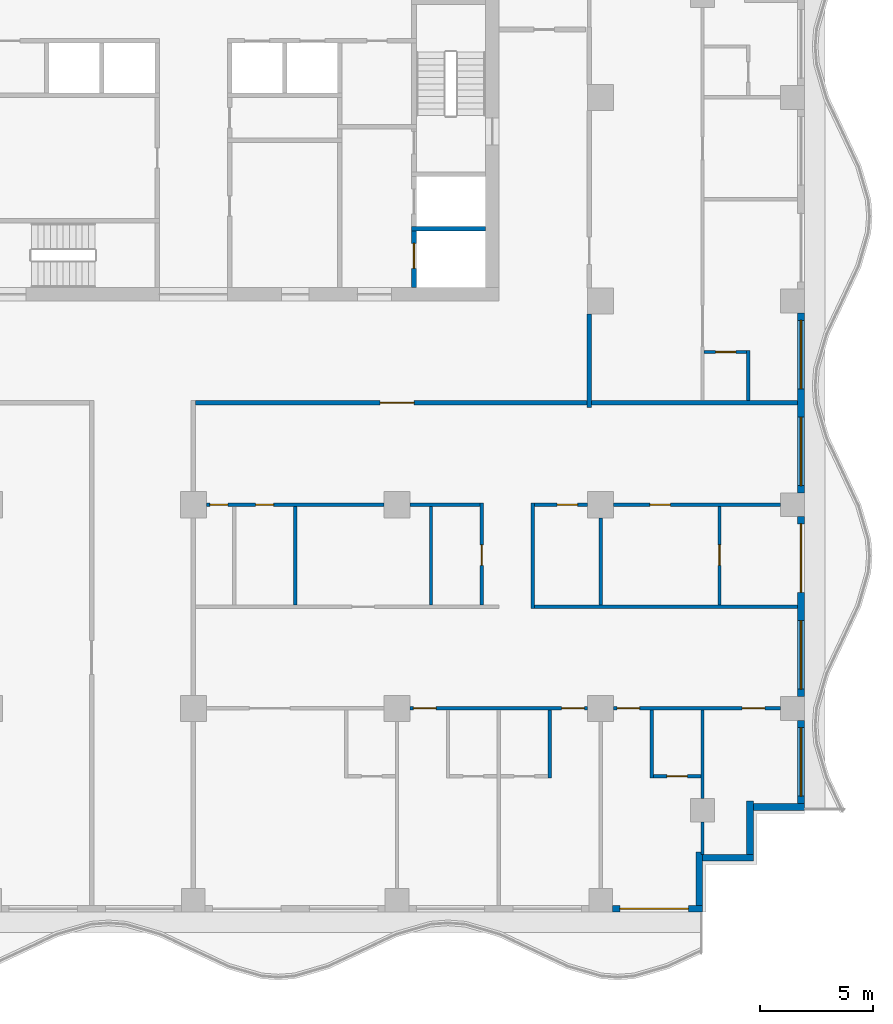
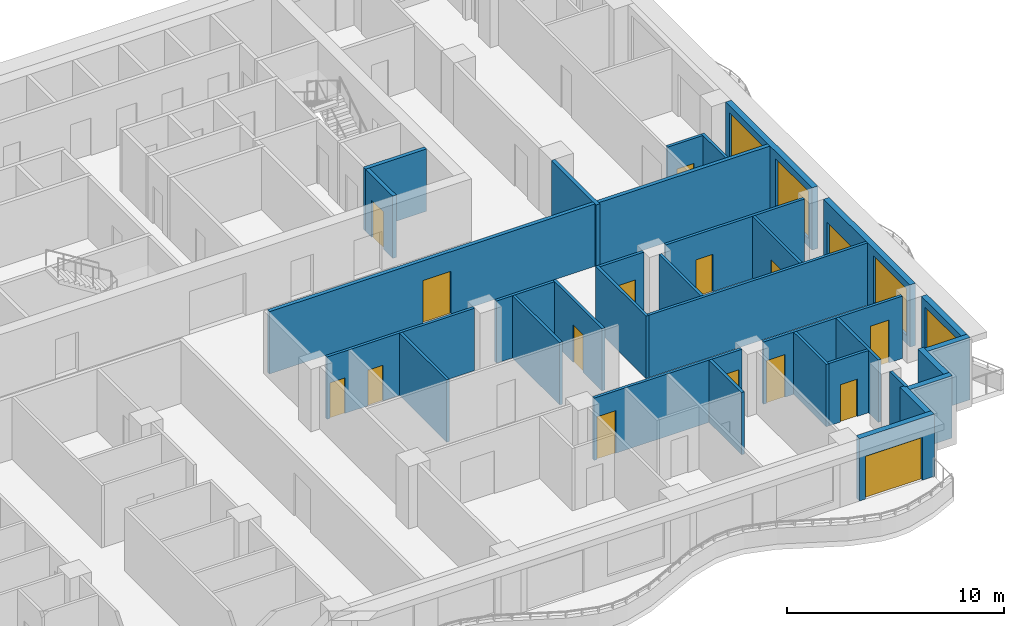
# One storey, part 4 of 11: 33 walls, 16 doors, 4 windows, 20 openings.
"""IFC4 building model written with IfcOpenShell, lengths in metres."""

from ifc_helpers import new_model, si_unit, direction, frame, frame_2d, origin, place, context, subcontext, project, spatial, rectangle, extrude, material, layer, layer_set, type_object, element, fill, save


model = new_model("IFC4")

# Units and contexts
model_context = context("Model", 3, precision=1e-05, world=origin(), true_north=direction((0.0, 1.0)))
body_context = subcontext(model_context, "Body", "Model", "MODEL_VIEW")
ifc_project = project(units=[si_unit("LENGTHUNIT", "METRE"), si_unit("AREAUNIT", "SQUARE_METRE"), si_unit("VOLUMEUNIT", "CUBIC_METRE"), si_unit("PLANEANGLEUNIT", "RADIAN"), si_unit("MASSUNIT", "GRAM", prefix="KILO")], contexts=[model_context])

# Site, building, storey
site_placement = place(None, origin())
site = spatial("IfcSite", under=ifc_project, at=site_placement, CompositionType="ELEMENT")
building_placement = place(site_placement, origin())
building = spatial("IfcBuilding", under=site, at=building_placement, Name="Orbiselva Terraces", CompositionType="ELEMENT")
storey_placement = place(building_placement, frame((0.0, 0.0, 195.8)))
storey = spatial("IfcBuildingStorey", under=building, at=storey_placement, Name="L49", CompositionType="ELEMENT", Elevation=195.8)

# Wall, opening, door
ifc_material_1 = material(Name="Concrete C60/75", Category="concrete")
ifc_layer_1 = layer(ifc_material_1, 0.2)
ifc_layer_set_1 = layer_set([ifc_layer_1], Name="Concrete C60/75")
wall_type_1 = type_object("IfcWallType", Name="CORE-WALL-SHEAR-200", PredefinedType="SHEAR", material=ifc_layer_set_1)
wall_1_placement = place(storey_placement, frame((9.75, 5.1, 0.0), z_axis=(0.0, 0.0, 1.0), x_axis=(0.0, 1.0, 0.0)))
wall_1 = element("IfcWall", 1, at=wall_1_placement, inside=storey, type_object=wall_type_1, Name="L49 core wall 36", PredefinedType="SHEAR", context=body_context, shape_type="SweptSolid", body=[
    extrude(rectangle(XDim=2.5, YDim=0.2, at=frame_2d((1.25, 0.0))), origin(), (0.0, 0.0, 1.0), 3.5),
])
opening_1_placement = place(wall_1_placement, frame((0.85, 0.0, 0.0)))
opening_1 = element("IfcOpeningElement", 2, at=opening_1_placement, cuts=wall_1, Name="Opening LD-FF1", PredefinedType="OPENING", context=body_context, shape_type="SweptSolid", body=[
    extrude(rectangle(XDim=1.1, YDim=2.1, at=frame_2d((0.55, 1.05))), frame((0.0, 0.11, 0.0), z_axis=(0.0, -1.0, 0.0), x_axis=(1.0, 0.0, 0.0)), (0.0, 0.0, 1.0), 0.22),
])
ifc_material_2 = material(Name="Stainless steel landing door", Category="steel")
door_type_1 = type_object("IfcDoorType", Name="LANDING DOOR 1100", OperationType="SLIDING_TO_LEFT", PredefinedType="DOOR", material=ifc_material_2)
door_1_placement = place(opening_1_placement, origin())
door_1 = element("IfcDoor", 3, at=door_1_placement, inside=storey, type_object=door_type_1, Name="L49 landing door FF1", OperationType="SLIDING_TO_RIGHT", OverallHeight=2.1, OverallWidth=1.1, PredefinedType="DOOR", context=body_context, shape_type="SweptSolid", body=[
    extrude(rectangle(XDim=1.1, YDim=2.1, at=frame_2d((0.55, 1.05))), frame((0.0, 0.025, 0.0), z_axis=(0.0, -1.0, 0.0), x_axis=(1.0, 0.0, 0.0)), (0.0, 0.0, 1.0), 0.05),
])
fill(opening_1, door_1)

# Wall
wall_2_placement = place(storey_placement, frame((9.65, 7.7, 0.0), z_axis=(0.0, 0.0, 1.0), x_axis=(1.0, 0.0, 0.0)))
element("IfcWall", 4, at=wall_2_placement, inside=storey, type_object=wall_type_1, Name="L49 core wall 37", PredefinedType="SHEAR", context=body_context, shape_type="SweptSolid", body=[
    extrude(rectangle(XDim=3.25, YDim=0.2, at=frame_2d((1.625, 0.0))), origin(), (0.0, 0.0, 1.0), 3.5),
])

# Wall, opening, door
ifc_material_3 = material(Name="Terracotta cladding on masonry backing", Category="masonry")
ifc_layer_2 = layer(ifc_material_3, 0.3)
ifc_layer_set_2 = layer_set([ifc_layer_2], Name="Terracotta cladding on masonry backing")
wall_type_2 = type_object("IfcWallType", Name="ENV-WALL-TERRACOTTA-300", PredefinedType="SOLIDWALL", material=ifc_layer_set_2)
wall_3_placement = place(storey_placement, frame((22.5, -22.35, 0.0), z_axis=(0.0, 0.0, 1.0), x_axis=(-1.0, 0.0, 0.0)))
wall_3 = element("IfcWall", 5, at=wall_3_placement, inside=storey, type_object=wall_type_2, Name="Facade wall L49 S", PredefinedType="SOLIDWALL", context=body_context, shape_type="SweptSolid", body=[
    extrude(rectangle(XDim=3.975, YDim=0.3, at=frame_2d((1.9875, 0.0))), origin(), (0.0, 0.0, 1.0), 3.5),
])
opening_2_placement = place(wall_3_placement, frame((0.625, 0.0, 0.0)))
opening_2 = element("IfcOpeningElement", 6, at=opening_2_placement, cuts=wall_3, Name="Opening Z4-B-E03", PredefinedType="OPENING", context=body_context, shape_type="SweptSolid", body=[
    extrude(rectangle(XDim=3.025, YDim=2.4, at=frame_2d((1.5125, 1.2))), frame((0.0, 0.16, 0.0), z_axis=(0.0, -1.0, 0.0), x_axis=(1.0, 0.0, 0.0)), (0.0, 0.0, 1.0), 0.32),
])
ifc_material_4 = material(Name="Clear low-e glazing in aluminium frame", Category="aluminium")
door_type_2 = type_object("IfcDoorType", Name="BALCONY DOOR 3025 X 2400", OperationType="DOUBLE_DOOR_SLIDING", PredefinedType="DOOR", material=ifc_material_4)
door_2_placement = place(opening_2_placement, origin())
door_2 = element("IfcDoor", 7, at=door_2_placement, inside=storey, type_object=door_type_2, Name="Z4-B-E03", OperationType="SINGLE_SWING_LEFT", OverallHeight=2.4, OverallWidth=3.025, PredefinedType="DOOR", context=body_context, shape_type="SweptSolid", body=[
    extrude(rectangle(XDim=3.025, YDim=2.4, at=frame_2d((1.5125, 1.2))), frame((0.0, 0.025, 0.0), z_axis=(0.0, -1.0, 0.0), x_axis=(1.0, 0.0, 0.0)), (0.0, 0.0, 1.0), 0.05),
])
fill(opening_2, door_2)

# Walls
wall_4_placement = place(storey_placement, frame((22.35, -19.85, 0.0), z_axis=(0.0, 0.0, 1.0), x_axis=(0.0, -1.0, 0.0)))
element("IfcWall", 8, at=wall_4_placement, inside=storey, type_object=wall_type_2, Name="Facade wall L49 STEP", PredefinedType="SOLIDWALL", context=body_context, shape_type="SweptSolid", body=[
    extrude(rectangle(XDim=2.35, YDim=0.3, at=frame_2d((1.175, 0.0))), origin(), (0.0, 0.0, 1.0), 3.5),
])
wall_5_placement = place(storey_placement, frame((24.75, -20.1, 0.0), z_axis=(0.0, 0.0, 1.0), x_axis=(-1.0, 0.0, 0.0)))
element("IfcWall", 9, at=wall_5_placement, inside=storey, type_object=wall_type_2, Name="Facade wall L49 STEP", PredefinedType="SOLIDWALL", context=body_context, shape_type="SweptSolid", body=[
    extrude(rectangle(XDim=2.25, YDim=0.3, at=frame_2d((1.125, 0.0))), origin(), (0.0, 0.0, 1.0), 3.5),
])
wall_6_placement = place(storey_placement, frame((24.6, -17.6, 0.0), z_axis=(0.0, 0.0, 1.0), x_axis=(0.0, -1.0, 0.0)))
element("IfcWall", 10, at=wall_6_placement, inside=storey, type_object=wall_type_2, Name="Facade wall L49 STEP", PredefinedType="SOLIDWALL", context=body_context, shape_type="SweptSolid", body=[
    extrude(rectangle(XDim=2.35, YDim=0.3, at=frame_2d((1.175, 0.0))), origin(), (0.0, 0.0, 1.0), 3.5),
])
wall_7_placement = place(storey_placement, frame((27.0, -17.85, 0.0), z_axis=(0.0, 0.0, 1.0), x_axis=(-1.0, 0.0, 0.0)))
element("IfcWall", 11, at=wall_7_placement, inside=storey, type_object=wall_type_2, Name="Facade wall L49 STEP", PredefinedType="SOLIDWALL", context=body_context, shape_type="SweptSolid", body=[
    extrude(rectangle(XDim=2.25, YDim=0.3, at=frame_2d((1.125, 0.0))), origin(), (0.0, 0.0, 1.0), 3.5),
])

# Wall, opening, window
wall_8_placement = place(storey_placement, frame((26.85, -14.025, 0.0), z_axis=(0.0, 0.0, 1.0), x_axis=(0.0, -1.0, 0.0)))
wall_8 = element("IfcWall", 12, at=wall_8_placement, inside=storey, type_object=wall_type_2, Name="Facade wall L49 E", PredefinedType="SOLIDWALL", context=body_context, shape_type="SweptSolid", body=[
    extrude(rectangle(XDim=3.675, YDim=0.3, at=frame_2d((1.8375, 0.0))), origin(), (0.0, 0.0, 1.0), 3.5),
])
opening_3_placement = place(wall_8_placement, frame((0.325, 0.0, 0.45)))
opening_3 = element("IfcOpeningElement", 13, at=opening_3_placement, cuts=wall_8, Name="Opening WN14", PredefinedType="OPENING", context=body_context, shape_type="SweptSolid", body=[
    extrude(rectangle(XDim=3.025, YDim=2.65, at=frame_2d((1.5125, 1.325))), frame((0.0, 0.16, 0.0), z_axis=(0.0, -1.0, 0.0), x_axis=(1.0, 0.0, 0.0)), (0.0, 0.0, 1.0), 0.32),
])
window_type = type_object("IfcWindowType", Name="WINDOW 3025 X 2650 S450", PartitioningType="TRIPLE_PANEL_VERTICAL", PredefinedType="WINDOW", material=ifc_material_4)
window_1_placement = place(opening_3_placement, origin())
window_1 = element("IfcWindow", 14, at=window_1_placement, inside=storey, type_object=window_type, Name="Window L49 E", OverallHeight=2.65, OverallWidth=3.025, PartitioningType="SINGLE_PANEL", PredefinedType="WINDOW", context=body_context, shape_type="SweptSolid", body=[
    extrude(rectangle(XDim=3.025, YDim=2.65, at=frame_2d((1.5125, 1.325))), frame((0.0, 0.03, 0.0), z_axis=(0.0, -1.0, 0.0), x_axis=(1.0, 0.0, 0.0)), (0.0, 0.0, 1.0), 0.06),
])
fill(opening_3, window_1)

# Wall, openings, door, window
wall_9_placement = place(storey_placement, frame((26.85, -5.025, 0.0), z_axis=(0.0, 0.0, 1.0), x_axis=(0.0, -1.0, 0.0)))
wall_9 = element("IfcWall", 15, at=wall_9_placement, inside=storey, type_object=wall_type_2, Name="Facade wall L49 E", PredefinedType="SOLIDWALL", context=body_context, shape_type="SweptSolid", body=[
    extrude(rectangle(XDim=7.95, YDim=0.3, at=frame_2d((3.975, 0.0))), origin(), (0.0, 0.0, 1.0), 3.5),
])
opening_4_placement = place(wall_9_placement, frame((4.6, 0.0, 0.45)))
opening_4 = element("IfcOpeningElement", 16, at=opening_4_placement, cuts=wall_9, Name="Opening WN14", PredefinedType="OPENING", context=body_context, shape_type="SweptSolid", body=[
    extrude(rectangle(XDim=3.025, YDim=2.65, at=frame_2d((1.5125, 1.325))), frame((0.0, 0.16, 0.0), z_axis=(0.0, -1.0, 0.0), x_axis=(1.0, 0.0, 0.0)), (0.0, 0.0, 1.0), 0.32),
])
opening_5_placement = place(wall_9_placement, frame((0.325, 0.0, 0.0)))
opening_5 = element("IfcOpeningElement", 17, at=opening_5_placement, cuts=wall_9, Name="Opening Z4-B-E04", PredefinedType="OPENING", context=body_context, shape_type="SweptSolid", body=[
    extrude(rectangle(XDim=3.025, YDim=2.4, at=frame_2d((1.5125, 1.2))), frame((0.0, 0.16, 0.0), z_axis=(0.0, -1.0, 0.0), x_axis=(1.0, 0.0, 0.0)), (0.0, 0.0, 1.0), 0.32),
])
door_3_placement = place(opening_5_placement, origin())
door_3 = element("IfcDoor", 18, at=door_3_placement, inside=storey, type_object=door_type_2, Name="Z4-B-E04", OperationType="SINGLE_SWING_LEFT", OverallHeight=2.4, OverallWidth=3.025, PredefinedType="DOOR", context=body_context, shape_type="SweptSolid", body=[
    extrude(rectangle(XDim=3.025, YDim=2.4, at=frame_2d((1.5125, 1.2))), frame((0.0, 0.025, 0.0), z_axis=(0.0, -1.0, 0.0), x_axis=(1.0, 0.0, 0.0)), (0.0, 0.0, 1.0), 0.05),
])
fill(opening_5, door_3)
window_2_placement = place(opening_4_placement, origin())
window_2 = element("IfcWindow", 19, at=window_2_placement, inside=storey, type_object=window_type, Name="Window L49 E", OverallHeight=2.65, OverallWidth=3.025, PartitioningType="SINGLE_PANEL", PredefinedType="WINDOW", context=body_context, shape_type="SweptSolid", body=[
    extrude(rectangle(XDim=3.025, YDim=2.65, at=frame_2d((1.5125, 1.325))), frame((0.0, 0.03, 0.0), z_axis=(0.0, -1.0, 0.0), x_axis=(1.0, 0.0, 0.0)), (0.0, 0.0, 1.0), 0.06),
])
fill(opening_4, window_2)

# Wall, openings, windows
wall_10_placement = place(storey_placement, frame((26.85, 3.975, 0.0), z_axis=(0.0, 0.0, 1.0), x_axis=(0.0, -1.0, 0.0)))
wall_10 = element("IfcWall", 20, at=wall_10_placement, inside=storey, type_object=wall_type_2, Name="Facade wall L49 E", PredefinedType="SOLIDWALL", context=body_context, shape_type="SweptSolid", body=[
    extrude(rectangle(XDim=7.95, YDim=0.3, at=frame_2d((3.975, 0.0))), origin(), (0.0, 0.0, 1.0), 3.5),
])
opening_6_placement = place(wall_10_placement, frame((4.6, 0.0, 0.45)))
opening_6 = element("IfcOpeningElement", 21, at=opening_6_placement, cuts=wall_10, Name="Opening WN14", PredefinedType="OPENING", context=body_context, shape_type="SweptSolid", body=[
    extrude(rectangle(XDim=3.025, YDim=2.65, at=frame_2d((1.5125, 1.325))), frame((0.0, 0.16, 0.0), z_axis=(0.0, -1.0, 0.0), x_axis=(1.0, 0.0, 0.0)), (0.0, 0.0, 1.0), 0.32),
])
opening_7_placement = place(wall_10_placement, frame((0.325, 0.0, 0.45)))
opening_7 = element("IfcOpeningElement", 22, at=opening_7_placement, cuts=wall_10, Name="Opening WN14", PredefinedType="OPENING", context=body_context, shape_type="SweptSolid", body=[
    extrude(rectangle(XDim=3.025, YDim=2.65, at=frame_2d((1.5125, 1.325))), frame((0.0, 0.16, 0.0), z_axis=(0.0, -1.0, 0.0), x_axis=(1.0, 0.0, 0.0)), (0.0, 0.0, 1.0), 0.32),
])
window_3_placement = place(opening_6_placement, origin())
window_3 = element("IfcWindow", 23, at=window_3_placement, inside=storey, type_object=window_type, Name="Window L49 E", OverallHeight=2.65, OverallWidth=3.025, PartitioningType="SINGLE_PANEL", PredefinedType="WINDOW", context=body_context, shape_type="SweptSolid", body=[
    extrude(rectangle(XDim=3.025, YDim=2.65, at=frame_2d((1.5125, 1.325))), frame((0.0, 0.03, 0.0), z_axis=(0.0, -1.0, 0.0), x_axis=(1.0, 0.0, 0.0)), (0.0, 0.0, 1.0), 0.06),
])
fill(opening_6, window_3)
window_4_placement = place(opening_7_placement, origin())
window_4 = element("IfcWindow", 24, at=window_4_placement, inside=storey, type_object=window_type, Name="Window L49 E", OverallHeight=2.65, OverallWidth=3.025, PartitioningType="SINGLE_PANEL", PredefinedType="WINDOW", context=body_context, shape_type="SweptSolid", body=[
    extrude(rectangle(XDim=3.025, YDim=2.65, at=frame_2d((1.5125, 1.325))), frame((0.0, 0.03, 0.0), z_axis=(0.0, -1.0, 0.0), x_axis=(1.0, 0.0, 0.0)), (0.0, 0.0, 1.0), 0.06),
])
fill(opening_7, window_4)

# Wall, opening, door
ifc_material_5 = material(Name="Plasterboard on steel stud partition", Category="steel")
ifc_layer_3 = layer(ifc_material_5, 0.2)
ifc_layer_set_3 = layer_set([ifc_layer_3], Name="Plasterboard on steel stud partition")
wall_type_3 = type_object("IfcWallType", Name="UNIT-ENTRANCE-WALL-200", PredefinedType="PARTITIONING", material=ifc_layer_set_3)
wall_11_placement = place(storey_placement, frame((17.4, 0.0, 0.0), z_axis=(0.0, 0.0, 1.0), x_axis=(-1.0, 0.0, 0.0)))
wall_11 = element("IfcWall", 25, at=wall_11_placement, inside=storey, type_object=wall_type_3, Name="PARTITION L49-030", PredefinedType="PARTITIONING", context=body_context, shape_type="SweptSolid", body=[
    extrude(rectangle(XDim=17.3, YDim=0.2, at=frame_2d((8.65, 0.0))), origin(), (0.0, 0.0, 1.0), 3.5),
])
opening_8_placement = place(wall_11_placement, frame((7.65, 0.0, 0.0)))
opening_8 = element("IfcOpeningElement", 26, at=opening_8_placement, cuts=wall_11, Name="Opening Z4-B-30", PredefinedType="OPENING", context=body_context, shape_type="SweptSolid", body=[
    extrude(rectangle(XDim=1.5, YDim=2.4, at=frame_2d((0.75, 1.2))), frame((0.0, 0.11, 0.0), z_axis=(0.0, -1.0, 0.0), x_axis=(1.0, 0.0, 0.0)), (0.0, 0.0, 1.0), 0.22),
])
ifc_material_6 = material(Name="Painted timber door leaf", Category="wood")
door_type_3 = type_object("IfcDoorType", Name="ENTRANCE DOUBLE DOOR 1500", OperationType="NOTDEFINED", PredefinedType="DOOR", material=ifc_material_6)
door_4_placement = place(opening_8_placement, origin())
door_4 = element("IfcDoor", 27, at=door_4_placement, inside=storey, type_object=door_type_3, Name="Z4-B-30", OperationType="DOUBLE_DOOR_SINGLE_SWING", OverallHeight=2.4, OverallWidth=1.5, PredefinedType="DOOR", context=body_context, shape_type="SweptSolid", body=[
    extrude(rectangle(XDim=1.5, YDim=2.4, at=frame_2d((0.75, 1.2))), frame((0.0, 0.025, 0.0), z_axis=(0.0, -1.0, 0.0), x_axis=(1.0, 0.0, 0.0)), (0.0, 0.0, 1.0), 0.05),
])
fill(opening_8, door_4)

# Wall
wall_12_placement = place(storey_placement, frame((17.5, -0.2, 0.0), z_axis=(0.0, 0.0, 1.0), x_axis=(0.0, 1.0, 0.0)))
element("IfcWall", 28, at=wall_12_placement, inside=storey, type_object=wall_type_3, Name="PARTITION L49-075", PredefinedType="PARTITIONING", context=body_context, shape_type="SweptSolid", body=[
    extrude(rectangle(XDim=4.125, YDim=0.2, at=frame_2d((2.0625, 0.0))), origin(), (0.0, 0.0, 1.0), 3.5),
])

# Wall, opening, door
ifc_layer_4 = layer(ifc_material_5, 0.15)
ifc_layer_set_4 = layer_set([ifc_layer_4], Name="Plasterboard on steel stud partition")
wall_type_4 = type_object("IfcWallType", Name="UNIT-PARTITION-150", PredefinedType="PARTITIONING", material=ifc_layer_set_4)
wall_13_placement = place(storey_placement, frame((20.325, -16.5, 0.0), z_axis=(0.0, 0.0, 1.0), x_axis=(1.0, 0.0, 0.0)))
wall_13 = element("IfcWall", 29, at=wall_13_placement, inside=storey, type_object=wall_type_4, Name="PARTITION L49-007", PredefinedType="PARTITIONING", context=body_context, shape_type="SweptSolid", body=[
    extrude(rectangle(XDim=2.1, YDim=0.15, at=frame_2d((1.05, 0.0))), origin(), (0.0, 0.0, 1.0), 3.5),
])
opening_9_placement = place(wall_13_placement, frame((0.6, 0.0, 0.0)))
opening_9 = element("IfcOpeningElement", 30, at=opening_9_placement, cuts=wall_13, Name="Opening Z4-B-45", PredefinedType="OPENING", context=body_context, shape_type="SweptSolid", body=[
    extrude(rectangle(XDim=0.9, YDim=2.1, at=frame_2d((0.45, 1.05))), frame((0.0, 0.085, 0.0), z_axis=(0.0, -1.0, 0.0), x_axis=(1.0, 0.0, 0.0)), (0.0, 0.0, 1.0), 0.17),
])
door_type_4 = type_object("IfcDoorType", Name="BATH DOOR 900", OperationType="NOTDEFINED", PredefinedType="DOOR", material=ifc_material_6)
door_5_placement = place(opening_9_placement, origin())
door_5 = element("IfcDoor", 31, at=door_5_placement, inside=storey, type_object=door_type_4, Name="Z4-B-45", OperationType="SINGLE_SWING_LEFT", OverallHeight=2.1, OverallWidth=0.9, PredefinedType="DOOR", context=body_context, shape_type="SweptSolid", body=[
    extrude(rectangle(XDim=0.9, YDim=2.1, at=frame_2d((0.45, 1.05))), frame((0.0, 0.025, 0.0), z_axis=(0.0, -1.0, 0.0), x_axis=(1.0, 0.0, 0.0)), (0.0, 0.0, 1.0), 0.05),
])
fill(opening_9, door_5)

# Wall, openings, doors
wall_14_placement = place(storey_placement, frame((17.425, -13.5, 0.0), z_axis=(0.0, 0.0, 1.0), x_axis=(-1.0, 0.0, 0.0)))
wall_14 = element("IfcWall", 32, at=wall_14_placement, inside=storey, type_object=wall_type_4, Name="PARTITION L49-012", PredefinedType="PARTITIONING", context=body_context, shape_type="SweptSolid", body=[
    extrude(rectangle(XDim=7.85, YDim=0.15, at=frame_2d((3.925, 0.0))), origin(), (0.0, 0.0, 1.0), 3.5),
])
opening_10_placement = place(wall_14_placement, frame((6.7, 0.0, 0.0)))
opening_10 = element("IfcOpeningElement", 33, at=opening_10_placement, cuts=wall_14, Name="Opening Z4-B-40", PredefinedType="OPENING", context=body_context, shape_type="SweptSolid", body=[
    extrude(rectangle(XDim=1.0, YDim=2.4, at=frame_2d((0.5, 1.2))), frame((0.0, 0.085, 0.0), z_axis=(0.0, -1.0, 0.0), x_axis=(1.0, 0.0, 0.0)), (0.0, 0.0, 1.0), 0.17),
])
opening_11_placement = place(wall_14_placement, frame((0.15, 0.0, 0.0)))
opening_11 = element("IfcOpeningElement", 34, at=opening_11_placement, cuts=wall_14, Name="Opening Z4-B-42", PredefinedType="OPENING", context=body_context, shape_type="SweptSolid", body=[
    extrude(rectangle(XDim=1.0, YDim=2.4, at=frame_2d((0.5, 1.2))), frame((0.0, 0.085, 0.0), z_axis=(0.0, -1.0, 0.0), x_axis=(1.0, 0.0, 0.0)), (0.0, 0.0, 1.0), 0.17),
])
door_type_5 = type_object("IfcDoorType", Name="ROOM DOOR 1000", OperationType="NOTDEFINED", PredefinedType="DOOR", material=ifc_material_6)
door_6_placement = place(opening_10_placement, origin())
door_6 = element("IfcDoor", 35, at=door_6_placement, inside=storey, type_object=door_type_5, Name="Z4-B-40", OperationType="SINGLE_SWING_RIGHT", OverallHeight=2.4, OverallWidth=1.0, PredefinedType="DOOR", context=body_context, shape_type="SweptSolid", body=[
    extrude(rectangle(XDim=1.0, YDim=2.4, at=frame_2d((0.5, 1.2))), frame((0.0, 0.025, 0.0), z_axis=(0.0, -1.0, 0.0), x_axis=(1.0, 0.0, 0.0)), (0.0, 0.0, 1.0), 0.05),
])
fill(opening_10, door_6)
door_7_placement = place(opening_11_placement, origin())
door_7 = element("IfcDoor", 36, at=door_7_placement, inside=storey, type_object=door_type_5, Name="Z4-B-42", OperationType="SINGLE_SWING_LEFT", OverallHeight=2.4, OverallWidth=1.0, PredefinedType="DOOR", context=body_context, shape_type="SweptSolid", body=[
    extrude(rectangle(XDim=1.0, YDim=2.4, at=frame_2d((0.5, 1.2))), frame((0.0, 0.025, 0.0), z_axis=(0.0, -1.0, 0.0), x_axis=(1.0, 0.0, 0.0)), (0.0, 0.0, 1.0), 0.05),
])
fill(opening_11, door_7)

wall_15_placement = place(storey_placement, frame((25.95, -13.5, 0.0), z_axis=(0.0, 0.0, 1.0), x_axis=(-1.0, 0.0, 0.0)))
wall_15 = element("IfcWall", 37, at=wall_15_placement, inside=storey, type_object=wall_type_4, Name="PARTITION L49-013", PredefinedType="PARTITIONING", context=body_context, shape_type="SweptSolid", body=[
    extrude(rectangle(XDim=7.375, YDim=0.15, at=frame_2d((3.6875, 0.0))), origin(), (0.0, 0.0, 1.0), 3.5),
])
opening_12_placement = place(wall_15_placement, frame((6.225, 0.0, 0.0)))
opening_12 = element("IfcOpeningElement", 38, at=opening_12_placement, cuts=wall_15, Name="Opening Z4-B-44", PredefinedType="OPENING", context=body_context, shape_type="SweptSolid", body=[
    extrude(rectangle(XDim=1.0, YDim=2.4, at=frame_2d((0.5, 1.2))), frame((0.0, 0.085, 0.0), z_axis=(0.0, -1.0, 0.0), x_axis=(1.0, 0.0, 0.0)), (0.0, 0.0, 1.0), 0.17),
])
opening_13_placement = place(wall_15_placement, frame((0.7, 0.0, 0.0)))
opening_13 = element("IfcOpeningElement", 39, at=opening_13_placement, cuts=wall_15, Name="Opening Z4-B-46", PredefinedType="OPENING", context=body_context, shape_type="SweptSolid", body=[
    extrude(rectangle(XDim=1.0, YDim=2.4, at=frame_2d((0.5, 1.2))), frame((0.0, 0.085, 0.0), z_axis=(0.0, -1.0, 0.0), x_axis=(1.0, 0.0, 0.0)), (0.0, 0.0, 1.0), 0.17),
])
door_8_placement = place(opening_12_placement, origin())
door_8 = element("IfcDoor", 40, at=door_8_placement, inside=storey, type_object=door_type_5, Name="Z4-B-44", OperationType="SINGLE_SWING_RIGHT", OverallHeight=2.4, OverallWidth=1.0, PredefinedType="DOOR", context=body_context, shape_type="SweptSolid", body=[
    extrude(rectangle(XDim=1.0, YDim=2.4, at=frame_2d((0.5, 1.2))), frame((0.0, 0.025, 0.0), z_axis=(0.0, -1.0, 0.0), x_axis=(1.0, 0.0, 0.0)), (0.0, 0.0, 1.0), 0.05),
])
fill(opening_12, door_8)
door_9_placement = place(opening_13_placement, origin())
door_9 = element("IfcDoor", 41, at=door_9_placement, inside=storey, type_object=door_type_5, Name="Z4-B-46", OperationType="SINGLE_SWING_LEFT", OverallHeight=2.4, OverallWidth=1.0, PredefinedType="DOOR", context=body_context, shape_type="SweptSolid", body=[
    extrude(rectangle(XDim=1.0, YDim=2.4, at=frame_2d((0.5, 1.2))), frame((0.0, 0.025, 0.0), z_axis=(0.0, -1.0, 0.0), x_axis=(1.0, 0.0, 0.0)), (0.0, 0.0, 1.0), 0.05),
])
fill(opening_13, door_9)

# Wall
wall_16_placement = place(storey_placement, frame((15.075, -9.0, 0.0), z_axis=(0.0, 0.0, 1.0), x_axis=(1.0, 0.0, 0.0)))
element("IfcWall", 42, at=wall_16_placement, inside=storey, type_object=wall_type_4, Name="PARTITION L49-019", PredefinedType="PARTITIONING", context=body_context, shape_type="SweptSolid", body=[
    extrude(rectangle(XDim=11.625, YDim=0.15, at=frame_2d((5.8125, 0.0))), origin(), (0.0, 0.0, 1.0), 3.5),
])

# Wall, openings, doors
wall_17_placement = place(storey_placement, frame((8.425, -4.5, 0.0), z_axis=(0.0, 0.0, 1.0), x_axis=(-1.0, 0.0, 0.0)))
wall_17 = element("IfcWall", 43, at=wall_17_placement, inside=storey, type_object=wall_type_4, Name="PARTITION L49-024", PredefinedType="PARTITIONING", context=body_context, shape_type="SweptSolid", body=[
    extrude(rectangle(XDim=7.85, YDim=0.15, at=frame_2d((3.925, 0.0))), origin(), (0.0, 0.0, 1.0), 3.5),
])
opening_14_placement = place(wall_17_placement, frame((6.9, 0.0, 0.0)))
opening_14 = element("IfcOpeningElement", 44, at=opening_14_placement, cuts=wall_17, Name="Opening Z4-B-31", PredefinedType="OPENING", context=body_context, shape_type="SweptSolid", body=[
    extrude(rectangle(XDim=0.8, YDim=2.0, at=frame_2d((0.4, 1.0))), frame((0.0, 0.085, 0.0), z_axis=(0.0, -1.0, 0.0), x_axis=(1.0, 0.0, 0.0)), (0.0, 0.0, 1.0), 0.17),
])
opening_15_placement = place(wall_17_placement, frame((4.875, 0.0, 0.0)))
opening_15 = element("IfcOpeningElement", 45, at=opening_15_placement, cuts=wall_17, Name="Opening Z4-B-32", PredefinedType="OPENING", context=body_context, shape_type="SweptSolid", body=[
    extrude(rectangle(XDim=0.8, YDim=2.0, at=frame_2d((0.4, 1.0))), frame((0.0, 0.085, 0.0), z_axis=(0.0, -1.0, 0.0), x_axis=(1.0, 0.0, 0.0)), (0.0, 0.0, 1.0), 0.17),
])
door_type_6 = type_object("IfcDoorType", Name="STORE DOOR 800", OperationType="NOTDEFINED", PredefinedType="DOOR", material=ifc_material_6)
door_10_placement = place(opening_14_placement, origin())
door_10 = element("IfcDoor", 46, at=door_10_placement, inside=storey, type_object=door_type_6, Name="Z4-B-31", OperationType="SINGLE_SWING_RIGHT", OverallHeight=2.0, OverallWidth=0.8, PredefinedType="DOOR", context=body_context, shape_type="SweptSolid", body=[
    extrude(rectangle(XDim=0.8, YDim=2.0, at=frame_2d((0.4, 1.0))), frame((0.0, 0.025, 0.0), z_axis=(0.0, -1.0, 0.0), x_axis=(1.0, 0.0, 0.0)), (0.0, 0.0, 1.0), 0.05),
])
fill(opening_14, door_10)
door_11_placement = place(opening_15_placement, origin())
door_11 = element("IfcDoor", 47, at=door_11_placement, inside=storey, type_object=door_type_6, Name="Z4-B-32", OperationType="SINGLE_SWING_RIGHT", OverallHeight=2.0, OverallWidth=0.8, PredefinedType="DOOR", context=body_context, shape_type="SweptSolid", body=[
    extrude(rectangle(XDim=0.8, YDim=2.0, at=frame_2d((0.4, 1.0))), frame((0.0, 0.025, 0.0), z_axis=(0.0, -1.0, 0.0), x_axis=(1.0, 0.0, 0.0)), (0.0, 0.0, 1.0), 0.05),
])
fill(opening_15, door_11)

# Wall
wall_18_placement = place(storey_placement, frame((9.575, -4.5, 0.0), z_axis=(0.0, 0.0, 1.0), x_axis=(1.0, 0.0, 0.0)))
element("IfcWall", 48, at=wall_18_placement, inside=storey, type_object=wall_type_4, Name="PARTITION L49-025", PredefinedType="PARTITIONING", context=body_context, shape_type="SweptSolid", body=[
    extrude(rectangle(XDim=3.1, YDim=0.15, at=frame_2d((1.55, 0.0))), origin(), (0.0, 0.0, 1.0), 3.5),
])

# Wall, opening, door
wall_19_placement = place(storey_placement, frame((17.425, -4.5, 0.0), z_axis=(0.0, 0.0, 1.0), x_axis=(-1.0, 0.0, 0.0)))
wall_19 = element("IfcWall", 49, at=wall_19_placement, inside=storey, type_object=wall_type_4, Name="PARTITION L49-026", PredefinedType="PARTITIONING", context=body_context, shape_type="SweptSolid", body=[
    extrude(rectangle(XDim=2.35, YDim=0.15, at=frame_2d((1.175, 0.0))), origin(), (0.0, 0.0, 1.0), 3.5),
])
opening_16_placement = place(wall_19_placement, frame((0.45, 0.0, 0.0)))
opening_16 = element("IfcOpeningElement", 50, at=opening_16_placement, cuts=wall_19, Name="Opening Z4-B-35", PredefinedType="OPENING", context=body_context, shape_type="SweptSolid", body=[
    extrude(rectangle(XDim=0.9, YDim=2.1, at=frame_2d((0.45, 1.05))), frame((0.0, 0.085, 0.0), z_axis=(0.0, -1.0, 0.0), x_axis=(1.0, 0.0, 0.0)), (0.0, 0.0, 1.0), 0.17),
])
door_type_7 = type_object("IfcDoorType", Name="SERVICE DOOR 900", OperationType="NOTDEFINED", PredefinedType="DOOR", material=ifc_material_6)
door_12_placement = place(opening_16_placement, origin())
door_12 = element("IfcDoor", 51, at=door_12_placement, inside=storey, type_object=door_type_7, Name="Z4-B-35", OperationType="SINGLE_SWING_LEFT", OverallHeight=2.1, OverallWidth=0.9, PredefinedType="DOOR", context=body_context, shape_type="SweptSolid", body=[
    extrude(rectangle(XDim=0.9, YDim=2.1, at=frame_2d((0.45, 1.05))), frame((0.0, 0.025, 0.0), z_axis=(0.0, -1.0, 0.0), x_axis=(1.0, 0.0, 0.0)), (0.0, 0.0, 1.0), 0.05),
])
fill(opening_16, door_12)

wall_20_placement = place(storey_placement, frame((25.95, -4.5, 0.0), z_axis=(0.0, 0.0, 1.0), x_axis=(-1.0, 0.0, 0.0)))
wall_20 = element("IfcWall", 52, at=wall_20_placement, inside=storey, type_object=wall_type_4, Name="PARTITION L49-027", PredefinedType="PARTITIONING", context=body_context, shape_type="SweptSolid", body=[
    extrude(rectangle(XDim=7.375, YDim=0.15, at=frame_2d((3.6875, 0.0))), origin(), (0.0, 0.0, 1.0), 3.5),
])
opening_17_placement = place(wall_20_placement, frame((4.875, 0.0, 0.0)))
opening_17 = element("IfcOpeningElement", 53, at=opening_17_placement, cuts=wall_20, Name="Opening Z4-B-36", PredefinedType="OPENING", context=body_context, shape_type="SweptSolid", body=[
    extrude(rectangle(XDim=0.9, YDim=2.1, at=frame_2d((0.45, 1.05))), frame((0.0, 0.085, 0.0), z_axis=(0.0, -1.0, 0.0), x_axis=(1.0, 0.0, 0.0)), (0.0, 0.0, 1.0), 0.17),
])
door_13_placement = place(opening_17_placement, origin())
door_13 = element("IfcDoor", 54, at=door_13_placement, inside=storey, type_object=door_type_7, Name="Z4-B-36", OperationType="SINGLE_SWING_RIGHT", OverallHeight=2.1, OverallWidth=0.9, PredefinedType="DOOR", context=body_context, shape_type="SweptSolid", body=[
    extrude(rectangle(XDim=0.9, YDim=2.1, at=frame_2d((0.45, 1.05))), frame((0.0, 0.025, 0.0), z_axis=(0.0, -1.0, 0.0), x_axis=(1.0, 0.0, 0.0)), (0.0, 0.0, 1.0), 0.05),
])
fill(opening_17, door_13)

wall_21_placement = place(storey_placement, frame((24.45, 2.25, 0.0), z_axis=(0.0, 0.0, 1.0), x_axis=(-1.0, 0.0, 0.0)))
wall_21 = element("IfcWall", 55, at=wall_21_placement, inside=storey, type_object=wall_type_4, Name="PARTITION L49-033", PredefinedType="PARTITIONING", context=body_context, shape_type="SweptSolid", body=[
    extrude(rectangle(XDim=1.875, YDim=0.15, at=frame_2d((0.9375, 0.0))), origin(), (0.0, 0.0, 1.0), 3.5),
])
opening_18_placement = place(wall_21_placement, frame((0.475, 0.0, 0.0)))
opening_18 = element("IfcOpeningElement", 56, at=opening_18_placement, cuts=wall_21, Name="Opening Z4-B-10", PredefinedType="OPENING", context=body_context, shape_type="SweptSolid", body=[
    extrude(rectangle(XDim=0.9, YDim=2.1, at=frame_2d((0.45, 1.05))), frame((0.0, 0.085, 0.0), z_axis=(0.0, -1.0, 0.0), x_axis=(1.0, 0.0, 0.0)), (0.0, 0.0, 1.0), 0.17),
])
door_14_placement = place(opening_18_placement, origin())
door_14 = element("IfcDoor", 57, at=door_14_placement, inside=storey, type_object=door_type_4, Name="Z4-B-10", OperationType="SINGLE_SWING_LEFT", OverallHeight=2.1, OverallWidth=0.9, PredefinedType="DOOR", context=body_context, shape_type="SweptSolid", body=[
    extrude(rectangle(XDim=0.9, YDim=2.1, at=frame_2d((0.45, 1.05))), frame((0.0, 0.025, 0.0), z_axis=(0.0, -1.0, 0.0), x_axis=(1.0, 0.0, 0.0)), (0.0, 0.0, 1.0), 0.05),
])
fill(opening_18, door_14)

# Walls
for number, where, z_axis, x_axis, name in (
    (58, (4.5, -8.925, 0.0), (0.0, 0.0, 1.0), (0.0, 1.0, 0.0), "PARTITION L49-066"),
    (59, (10.5, -8.925, 0.0), (0.0, 0.0, 1.0), (0.0, 1.0, 0.0), "PARTITION L49-069"),
):
    element("IfcWall", number, at=place(storey_placement, frame(where, z_axis=z_axis, x_axis=x_axis)), inside=storey, type_object=wall_type_4, Name=name, PredefinedType="PARTITIONING", context=body_context, shape_type="SweptSolid", body=[
        extrude(rectangle(XDim=4.35, YDim=0.15, at=frame_2d((2.175, 0.0))), origin(), (0.0, 0.0, 1.0), 3.5),
    ])

# Wall, opening, door
wall_22_placement = place(storey_placement, frame((12.75, -8.925, 0.0), z_axis=(0.0, 0.0, 1.0), x_axis=(0.0, 1.0, 0.0)))
wall_22 = element("IfcWall", 60, at=wall_22_placement, inside=storey, type_object=wall_type_4, Name="PARTITION L49-071", PredefinedType="PARTITIONING", context=body_context, shape_type="SweptSolid", body=[
    extrude(rectangle(XDim=4.5, YDim=0.15, at=frame_2d((2.25, 0.0))), origin(), (0.0, 0.0, 1.0), 3.5),
])
opening_19_placement = place(wall_22_placement, frame((1.75, 0.0, 0.0)))
opening_19 = element("IfcOpeningElement", 61, at=opening_19_placement, cuts=wall_22, Name="Opening Z4-B-34", PredefinedType="OPENING", context=body_context, shape_type="SweptSolid", body=[
    extrude(rectangle(XDim=0.9, YDim=2.1, at=frame_2d((0.45, 1.05))), frame((0.0, 0.085, 0.0), z_axis=(0.0, -1.0, 0.0), x_axis=(1.0, 0.0, 0.0)), (0.0, 0.0, 1.0), 0.17),
])
door_15_placement = place(opening_19_placement, origin())
door_15 = element("IfcDoor", 62, at=door_15_placement, inside=storey, type_object=door_type_4, Name="Z4-B-34", OperationType="SINGLE_SWING_LEFT", OverallHeight=2.1, OverallWidth=0.9, PredefinedType="DOOR", context=body_context, shape_type="SweptSolid", body=[
    extrude(rectangle(XDim=0.9, YDim=2.1, at=frame_2d((0.45, 1.05))), frame((0.0, 0.025, 0.0), z_axis=(0.0, -1.0, 0.0), x_axis=(1.0, 0.0, 0.0)), (0.0, 0.0, 1.0), 0.05),
])
fill(opening_19, door_15)

# Walls
wall_23_placement = place(storey_placement, frame((15.0, -9.075, 0.0), z_axis=(0.0, 0.0, 1.0), x_axis=(0.0, 1.0, 0.0)))
element("IfcWall", 63, at=wall_23_placement, inside=storey, type_object=wall_type_4, Name="PARTITION L49-073", PredefinedType="PARTITIONING", context=body_context, shape_type="SweptSolid", body=[
    extrude(rectangle(XDim=4.65, YDim=0.15, at=frame_2d((2.325, 0.0))), origin(), (0.0, 0.0, 1.0), 3.5),
])
wall_24_placement = place(storey_placement, frame((15.75, -16.575, 0.0), z_axis=(0.0, 0.0, 1.0), x_axis=(0.0, 1.0, 0.0)))
element("IfcWall", 64, at=wall_24_placement, inside=storey, type_object=wall_type_4, Name="PARTITION L49-074", PredefinedType="PARTITIONING", context=body_context, shape_type="SweptSolid", body=[
    extrude(rectangle(XDim=3.0, YDim=0.15, at=frame_2d((1.5, 0.0))), origin(), (0.0, 0.0, 1.0), 3.5),
])
wall_25_placement = place(storey_placement, frame((18.0, -8.925, 0.0), z_axis=(0.0, 0.0, 1.0), x_axis=(0.0, 1.0, 0.0)))
element("IfcWall", 65, at=wall_25_placement, inside=storey, type_object=wall_type_4, Name="PARTITION L49-080", PredefinedType="PARTITIONING", context=body_context, shape_type="SweptSolid", body=[
    extrude(rectangle(XDim=3.85, YDim=0.15, at=frame_2d((1.925, 0.0))), origin(), (0.0, 0.0, 1.0), 3.5),
])
wall_26_placement = place(storey_placement, frame((20.25, -16.575, 0.0), z_axis=(0.0, 0.0, 1.0), x_axis=(0.0, 1.0, 0.0)))
element("IfcWall", 66, at=wall_26_placement, inside=storey, type_object=wall_type_4, Name="PARTITION L49-081", PredefinedType="PARTITIONING", context=body_context, shape_type="SweptSolid", body=[
    extrude(rectangle(XDim=3.0, YDim=0.15, at=frame_2d((1.5, 0.0))), origin(), (0.0, 0.0, 1.0), 3.5),
])
wall_27_placement = place(storey_placement, frame((22.5, -19.95, 0.0), z_axis=(0.0, 0.0, 1.0), x_axis=(0.0, 1.0, 0.0)))
element("IfcWall", 67, at=wall_27_placement, inside=storey, type_object=wall_type_4, Name="PARTITION L49-082", PredefinedType="PARTITIONING", context=body_context, shape_type="SweptSolid", body=[
    extrude(rectangle(XDim=1.425, YDim=0.15, at=frame_2d((0.7125, 0.0))), origin(), (0.0, 0.0, 1.0), 3.5),
])
wall_28_placement = place(storey_placement, frame((22.5, -17.475, 0.0), z_axis=(0.0, 0.0, 1.0), x_axis=(0.0, 1.0, 0.0)))
element("IfcWall", 68, at=wall_28_placement, inside=storey, type_object=wall_type_4, Name="PARTITION L49-083", PredefinedType="PARTITIONING", context=body_context, shape_type="SweptSolid", body=[
    extrude(rectangle(XDim=3.9, YDim=0.15, at=frame_2d((1.95, 0.0))), origin(), (0.0, 0.0, 1.0), 3.5),
])

# Wall, opening, door
wall_29_placement = place(storey_placement, frame((23.25, -4.575, 0.0), z_axis=(0.0, 0.0, 1.0), x_axis=(0.0, -1.0, 0.0)))
wall_29 = element("IfcWall", 69, at=wall_29_placement, inside=storey, type_object=wall_type_4, Name="PARTITION L49-086", PredefinedType="PARTITIONING", context=body_context, shape_type="SweptSolid", body=[
    extrude(rectangle(XDim=4.35, YDim=0.15, at=frame_2d((2.175, 0.0))), origin(), (0.0, 0.0, 1.0), 3.5),
])
opening_20_placement = place(wall_29_placement, frame((1.7, 0.0, 0.0)))
opening_20 = element("IfcOpeningElement", 70, at=opening_20_placement, cuts=wall_29, Name="Opening Z4-B-37", PredefinedType="OPENING", context=body_context, shape_type="SweptSolid", body=[
    extrude(rectangle(XDim=0.9, YDim=2.1, at=frame_2d((0.45, 1.05))), frame((0.0, 0.085, 0.0), z_axis=(0.0, -1.0, 0.0), x_axis=(1.0, 0.0, 0.0)), (0.0, 0.0, 1.0), 0.17),
])
door_16_placement = place(opening_20_placement, origin())
door_16 = element("IfcDoor", 71, at=door_16_placement, inside=storey, type_object=door_type_4, Name="Z4-B-37", OperationType="SINGLE_SWING_LEFT", OverallHeight=2.1, OverallWidth=0.9, PredefinedType="DOOR", context=body_context, shape_type="SweptSolid", body=[
    extrude(rectangle(XDim=0.9, YDim=2.1, at=frame_2d((0.45, 1.05))), frame((0.0, 0.025, 0.0), z_axis=(0.0, -1.0, 0.0), x_axis=(1.0, 0.0, 0.0)), (0.0, 0.0, 1.0), 0.05),
])
fill(opening_20, door_16)

# Walls
wall_30_placement = place(storey_placement, frame((24.525, 0.1, 0.0), z_axis=(0.0, 0.0, 1.0), x_axis=(0.0, 1.0, 0.0)))
element("IfcWall", 72, at=wall_30_placement, inside=storey, type_object=wall_type_4, Name="PARTITION L49-087", PredefinedType="PARTITIONING", context=body_context, shape_type="SweptSolid", body=[
    extrude(rectangle(XDim=2.225, YDim=0.15, at=frame_2d((1.1125, 0.0))), origin(), (0.0, 0.0, 1.0), 3.5),
])
ifc_layer_5 = layer(ifc_material_5, 0.2)
ifc_layer_set_5 = layer_set([ifc_layer_5], Name="Plasterboard on steel stud partition")
wall_type_5 = type_object("IfcWallType", Name="UNIT-PARTY-WALL-200", PredefinedType="PARTITIONING", material=ifc_layer_set_5)
wall_31_placement = place(storey_placement, frame((17.6, 0.0, 0.0), z_axis=(0.0, 0.0, 1.0), x_axis=(1.0, 0.0, 0.0)))
element("IfcWall", 73, at=wall_31_placement, inside=storey, type_object=wall_type_5, Name="PARTITION L49-032", PredefinedType="PARTITIONING", context=body_context, shape_type="SweptSolid", body=[
    extrude(rectangle(XDim=9.1, YDim=0.2, at=frame_2d((4.55, 0.0))), origin(), (0.0, 0.0, 1.0), 3.5),
])

save(model, "model.ifc")
